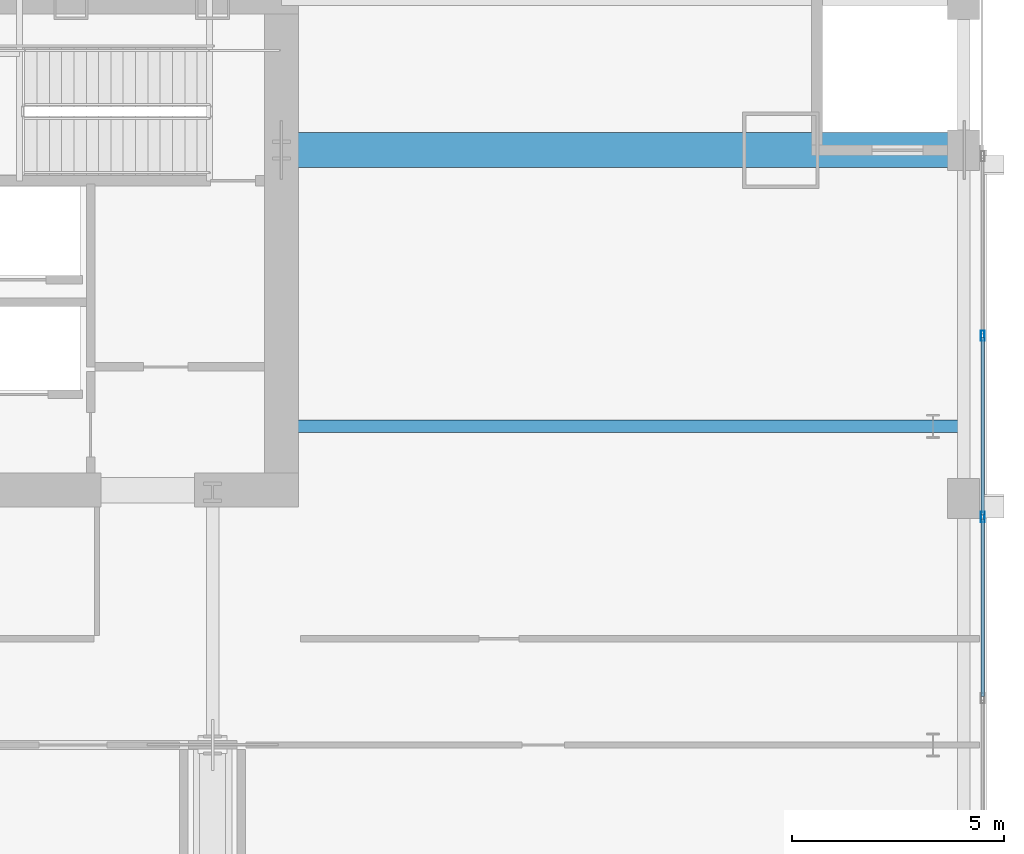
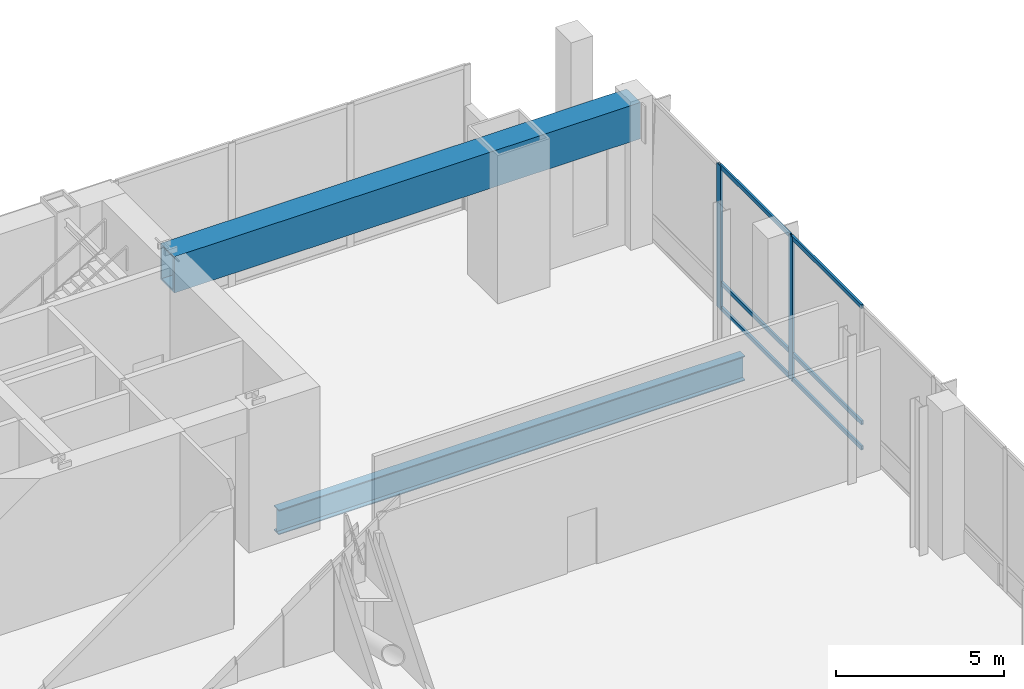
# One storey, part 16 of 26: 8 members, 2 beams, 1 element without a shape of its own.
"""IFC4 building model written with IfcOpenShell, lengths in metres."""

from ifc_helpers import new_model, si_unit, direction, frame, origin, origin_2d, place, context, subcontext, project, spatial, hollow_rectangle, i_section, extrude, material, material_profile, profile_set, type_object, element, aggregate, save


model = new_model("IFC4")

# Units and contexts
model_context = context("Model", 3, precision=1e-05, world=origin(), true_north=direction((0.0, 1.0)))
body_context = subcontext(model_context, "Body", "Model", "MODEL_VIEW")
ifc_project = project(units=[si_unit("LENGTHUNIT", "METRE"), si_unit("AREAUNIT", "SQUARE_METRE"), si_unit("VOLUMEUNIT", "CUBIC_METRE"), si_unit("PLANEANGLEUNIT", "RADIAN"), si_unit("MASSUNIT", "GRAM", prefix="KILO")], contexts=[model_context])

# Site, building, storey
site_placement = place(None, origin())
site = spatial("IfcSite", under=ifc_project, at=site_placement, CompositionType="ELEMENT")
building_placement = place(site_placement, origin())
building = spatial("IfcBuilding", under=site, at=building_placement, Name="Khoronbel Lancet Exchange", CompositionType="ELEMENT")
storey_placement = place(building_placement, frame((0.0, 0.0, 20.39990234375)))
storey = spatial("IfcBuildingStorey", under=building, at=storey_placement, Name="L04", CompositionType="ELEMENT", Elevation=20.39990234375)

# Beams
ifc_material_1 = material(Name="Steel S355", Category="steel")
ifc_material_profile_1 = material_profile(ifc_material_1, i_section(OverallWidth=0.300048828125, OverallDepth=0.89990234375, WebThickness=0.0185546875, FlangeThickness=0.034912109375, at=origin_2d()), Name="HEB 900")
ifc_profile_set_1 = profile_set([ifc_material_profile_1], Name="Steel S355")
beam_type_1 = type_object("IfcBeamType", Name="BM-BG1", PredefinedType="BEAM", material=ifc_profile_set_1)
beam_1_placement = place(storey_placement, frame((56.300048828125, 43.199951171875, -0.669921875), z_axis=(1.0, 0.0, 0.0), x_axis=(0.0, 1.0, 0.0)))
element("IfcBeam", 1, at=beam_1_placement, inside=storey, type_object=beam_type_1, Name="Level L04 east lens tie girder LG3E", PredefinedType="BEAM", context=body_context, shape_type="SweptSolid", body=[
    extrude(i_section(OverallWidth=0.300048828125, OverallDepth=0.89990234375, WebThickness=0.0185546875, FlangeThickness=0.034912109375, at=origin_2d()), origin(), (0.0, 0.0, 1.0), 16.050048828125),
])
ifc_material_2 = material(Name="Steel S460", Category="steel")
ifc_material_profile_2 = material_profile(ifc_material_2, hollow_rectangle(XDim=0.820068359375, YDim=1.320068359375, WallThickness=0.070068359375, at=origin_2d()), Name="BOX 820x1320x70")
ifc_profile_set_2 = profile_set([ifc_material_profile_2], Name="Steel S460")
beam_type_2 = type_object("IfcBeamType", Name="BM-TG4", PredefinedType="USERDEFINED", material=ifc_profile_set_2)
beam_2_placement = place(storey_placement, frame((56.300048828125, 49.699951171875, 4.56005859375), z_axis=(1.0, 0.0, 0.0), x_axis=(0.0, 1.0, 0.0)))
element("IfcBeam", 2, at=beam_2_placement, inside=storey, type_object=beam_type_2, Name="L04 podium-to-tower corner transfer girder NE", ObjectType="TRANSFER GIRDER", PredefinedType="USERDEFINED", context=body_context, shape_type="SweptSolid", body=[
    extrude(hollow_rectangle(XDim=0.820068359375, YDim=1.320068359375, WallThickness=0.070068359375, at=origin_2d()), origin(), (0.0, 0.0, 1.0), 16.050048828125),
])

# Curtain wall, members
ifc_material_3 = material(Name="Low-E Solar Control Insulating Glass", Category="glass")
curtain_wall_type = type_object("IfcCurtainWallType", Name="CW-5", PredefinedType="NOTDEFINED", material=ifc_material_3)
curtain_wall_placement = place(storey_placement, origin())
curtain_wall = element("IfcCurtainWall", 3, at=curtain_wall_placement, inside=storey, type_object=curtain_wall_type, Name="Unitised curtain wall CW-L04-EAST", PredefinedType="NOTDEFINED")
ifc_material_4 = material(Name="Bronze-Anodised Aluminium 6063-T6", Category="aluminium")
ifc_material_profile_3 = material_profile(ifc_material_4, hollow_rectangle(XDim=0.0849609375, YDim=0.239990234375, WallThickness=0.006103515625, at=origin_2d()), Name="ALU MULLION 85x240")
ifc_profile_set_3 = profile_set([ifc_material_profile_3], Name="Bronze-Anodised Aluminium 6063-T6")
member_type_1 = type_object("IfcMemberType", Name="MEM-CWM1", PredefinedType="MULLION", material=ifc_profile_set_3)
member_1_placement = place(storey_placement, frame((72.800048828125, 41.066650390625, 0.0), z_axis=(0.0, 0.0, 1.0), x_axis=(-1.0, 0.0, 0.0)))
member_1 = element("IfcMember", 4, at=member_1_placement, type_object=member_type_1, Name="CW5 mullion 8", PredefinedType="MULLION", context=body_context, shape_type="SweptSolid", body=[
    extrude(hollow_rectangle(XDim=0.0849609375, YDim=0.239990234375, WallThickness=0.006103515625, at=origin_2d()), origin(), (0.0, 0.0, 1.0), 5.22021484375),
])
member_2_placement = place(storey_placement, frame((72.800048828125, 45.333251953125, 0.0), z_axis=(0.0, 0.0, 1.0), x_axis=(-1.0, 0.0, 0.0)))
member_2 = element("IfcMember", 5, at=member_2_placement, type_object=member_type_1, Name="CW5 mullion 9", PredefinedType="MULLION", context=body_context, shape_type="SweptSolid", body=[
    extrude(hollow_rectangle(XDim=0.0849609375, YDim=0.239990234375, WallThickness=0.006103515625, at=origin_2d()), origin(), (0.0, 0.0, 1.0), 5.22021484375),
])
ifc_material_profile_4 = material_profile(ifc_material_4, hollow_rectangle(XDim=0.074951171875, YDim=0.14990234375, WallThickness=0.00439453125, at=origin_2d()), Name="ALU TRANSOM 75x150")
ifc_profile_set_4 = profile_set([ifc_material_profile_4], Name="Bronze-Anodised Aluminium 6063-T6")
member_type_2 = type_object("IfcMemberType", Name="MEM-CWT2", PredefinedType="USERDEFINED", material=ifc_profile_set_4)
member_3_placement = place(storey_placement, frame((72.800048828125, 36.842529296875, 0.03759765625), z_axis=(0.0, 1.0, 0.0), x_axis=(-1.0, 0.0, 0.0)))
member_3 = element("IfcMember", 6, at=member_3_placement, type_object=member_type_2, Name="CW5 transom 7.1", ObjectType="TRANSOM", PredefinedType="USERDEFINED", context=body_context, shape_type="SweptSolid", body=[
    extrude(hollow_rectangle(XDim=0.074951171875, YDim=0.14990234375, WallThickness=0.00439453125, at=origin_2d()), origin(), (0.0, 0.0, 1.0), 4.181640625),
])
member_4_placement = place(storey_placement, frame((72.800048828125, 36.842529296875, 0.9501953125), z_axis=(0.0, 1.0, 0.0), x_axis=(-1.0, 0.0, 0.0)))
member_4 = element("IfcMember", 7, at=member_4_placement, type_object=member_type_2, Name="CW5 transom 7.2", ObjectType="TRANSOM", PredefinedType="USERDEFINED", context=body_context, shape_type="SweptSolid", body=[
    extrude(hollow_rectangle(XDim=0.074951171875, YDim=0.14990234375, WallThickness=0.00439453125, at=origin_2d()), origin(), (0.0, 0.0, 1.0), 4.181640625),
])
member_5_placement = place(storey_placement, frame((72.800048828125, 36.842529296875, 5.1826171875), z_axis=(0.0, 1.0, 0.0), x_axis=(-1.0, 0.0, 0.0)))
member_5 = element("IfcMember", 8, at=member_5_placement, type_object=member_type_2, Name="CW5 transom 7.3", ObjectType="TRANSOM", PredefinedType="USERDEFINED", context=body_context, shape_type="SweptSolid", body=[
    extrude(hollow_rectangle(XDim=0.074951171875, YDim=0.14990234375, WallThickness=0.00439453125, at=origin_2d()), origin(), (0.0, 0.0, 1.0), 4.181640625),
])
member_6_placement = place(storey_placement, frame((72.800048828125, 41.109130859375, 0.03759765625), z_axis=(0.0, 1.0, 0.0), x_axis=(-1.0, 0.0, 0.0)))
member_6 = element("IfcMember", 9, at=member_6_placement, type_object=member_type_2, Name="CW5 transom 8.1", ObjectType="TRANSOM", PredefinedType="USERDEFINED", context=body_context, shape_type="SweptSolid", body=[
    extrude(hollow_rectangle(XDim=0.074951171875, YDim=0.14990234375, WallThickness=0.00439453125, at=origin_2d()), origin(), (0.0, 0.0, 1.0), 4.181640625),
])
member_7_placement = place(storey_placement, frame((72.800048828125, 41.109130859375, 0.9501953125), z_axis=(0.0, 1.0, 0.0), x_axis=(-1.0, 0.0, 0.0)))
member_7 = element("IfcMember", 10, at=member_7_placement, type_object=member_type_2, Name="CW5 transom 8.2", ObjectType="TRANSOM", PredefinedType="USERDEFINED", context=body_context, shape_type="SweptSolid", body=[
    extrude(hollow_rectangle(XDim=0.074951171875, YDim=0.14990234375, WallThickness=0.00439453125, at=origin_2d()), origin(), (0.0, 0.0, 1.0), 4.181640625),
])
member_8_placement = place(storey_placement, frame((72.800048828125, 41.109130859375, 5.1826171875), z_axis=(0.0, 1.0, 0.0), x_axis=(-1.0, 0.0, 0.0)))
member_8 = element("IfcMember", 11, at=member_8_placement, type_object=member_type_2, Name="CW5 transom 8.3", ObjectType="TRANSOM", PredefinedType="USERDEFINED", context=body_context, shape_type="SweptSolid", body=[
    extrude(hollow_rectangle(XDim=0.074951171875, YDim=0.14990234375, WallThickness=0.00439453125, at=origin_2d()), origin(), (0.0, 0.0, 1.0), 4.181640625),
])
aggregate(curtain_wall, [member_1, member_2, member_3, member_4, member_5, member_6, member_7, member_8])

save(model, "model.ifc")
